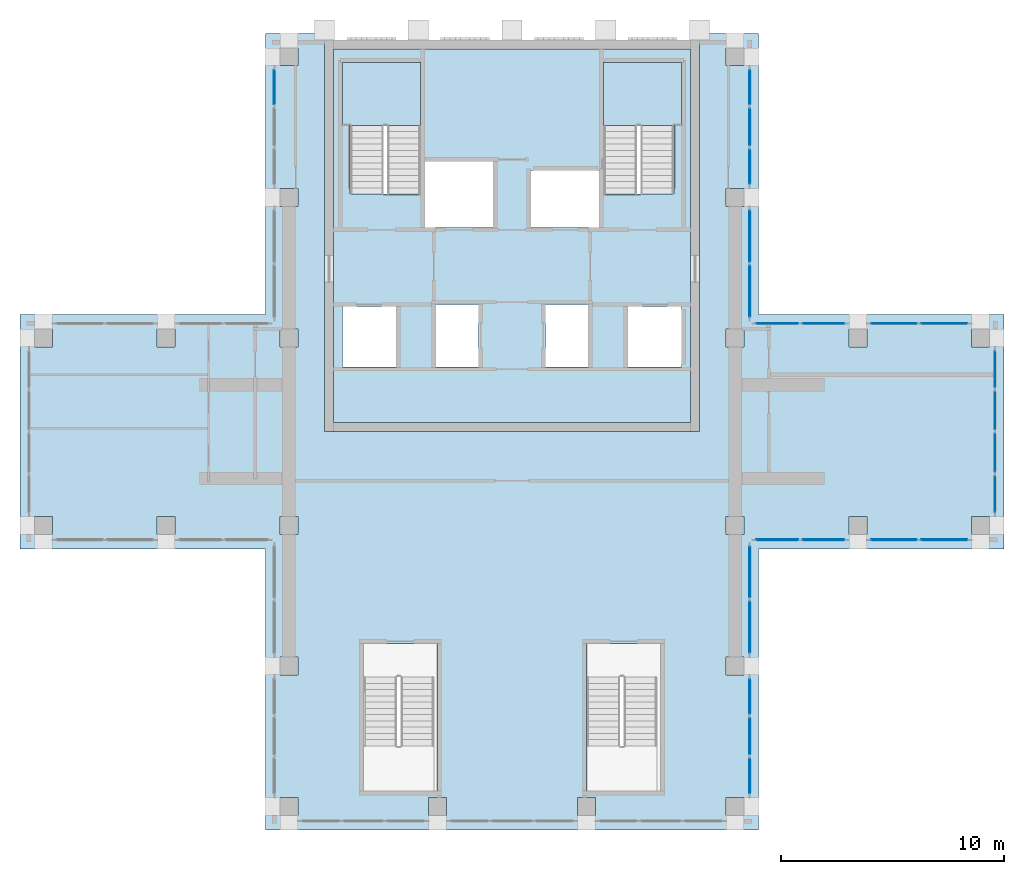
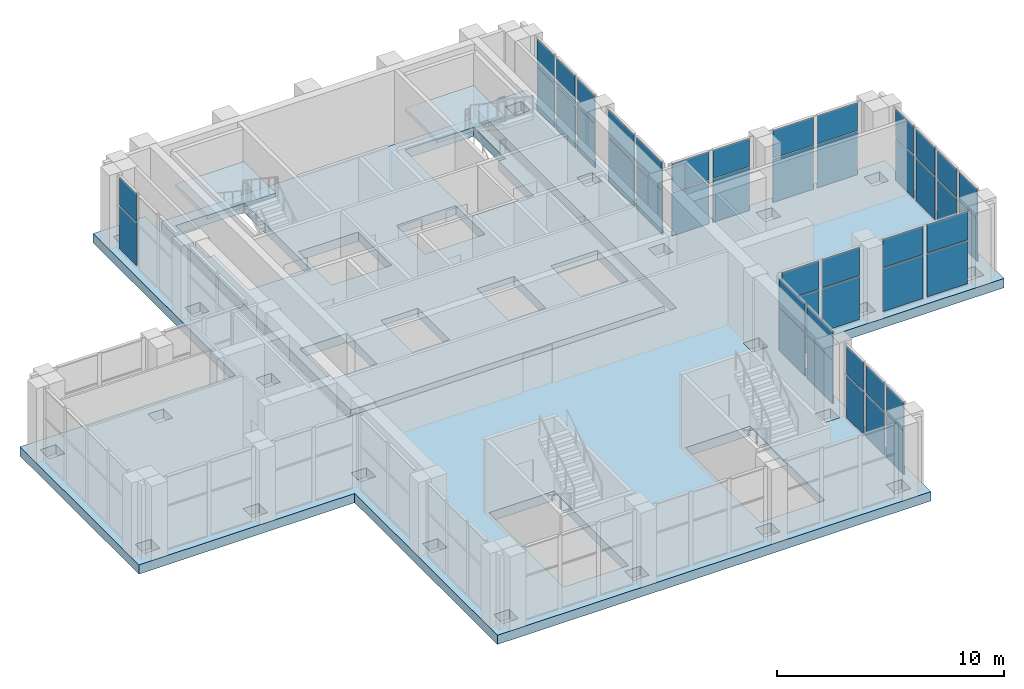
# One storey, part 8 of 15: 46 plates, 4 slabs, 12 elements without a shape of their own.
"""IFC4 building model written with IfcOpenShell, lengths in metres."""

from ifc_helpers import new_model, si_unit, direction, frame, origin, origin_2d, place, context, subcontext, project, spatial, polyline, rectangle, outline, extrude, material, layer, layer_set, type_object, element, aggregate, save


model = new_model("IFC4")

# Units and contexts
model_context = context("Model", 3, precision=1e-05, world=origin(), true_north=direction((0.0, 1.0)))
body_context = subcontext(model_context, "Body", "Model", "MODEL_VIEW")
ifc_project = project(units=[si_unit("LENGTHUNIT", "METRE"), si_unit("AREAUNIT", "SQUARE_METRE"), si_unit("VOLUMEUNIT", "CUBIC_METRE"), si_unit("PLANEANGLEUNIT", "RADIAN"), si_unit("MASSUNIT", "GRAM", prefix="KILO")], contexts=[model_context])

# Site, building, storey
site_placement = place(None, origin())
site = spatial("IfcSite", under=ifc_project, at=site_placement, CompositionType="ELEMENT")
building_placement = place(site_placement, origin())
building = spatial("IfcBuilding", under=site, at=building_placement, Name="Vermilion Ogive Tower", CompositionType="ELEMENT")
storey_placement = place(building_placement, frame((0.0, 0.0, 293.85009765625)))
storey = spatial("IfcBuildingStorey", under=building, at=storey_placement, Name="L76", CompositionType="ELEMENT", Elevation=293.85009765625)

# Curtain wall, plates
ifc_material_1 = material(Name="Low-iron laminated glazing in aluminium frame", Category="aluminium")
curtain_wall_type = type_object("IfcCurtainWallType", Name="Curtain wall CW3", PredefinedType="NOTDEFINED", material=ifc_material_1)
curtain_wall_1_placement = place(storey_placement, origin())
curtain_wall_1 = element("IfcCurtainWall", 1, at=curtain_wall_1_placement, inside=storey, type_object=curtain_wall_type, Name="CW3 glazing X11", PredefinedType="NOTDEFINED")
ifc_material_2 = material(Name="Low-iron laminated glazing in aluminium frame", Category="aluminium")
ifc_layer_1 = layer(ifc_material_2, 0.035888671875)
ifc_layer_set_1 = layer_set([ifc_layer_1], Name="CW3 glazing panel 36")
plate_type = type_object("IfcPlateType", Name="CW3 glazing panel 36", PredefinedType="CURTAIN_PANEL", material=ifc_layer_set_1)
plate_1_placement = place(storey_placement, frame((10.64990234375, -11.2333984375, 0.059814453125), z_axis=(0.0, 0.0, 1.0), x_axis=(0.0, 1.0, 0.0)))
plate_1 = element("IfcPlate", 2, at=plate_1_placement, type_object=plate_type, Name="CW3-X11 panel 1.1", PredefinedType="CURTAIN_PANEL", context=body_context, shape_type="SweptSolid", body=[
    extrude(rectangle(XDim=1.533447265625, YDim=0.035888671875, at=origin_2d()), origin(), (0.0, 0.0, 1.0), 2.31005859375),
])
plate_2_placement = place(storey_placement, frame((10.64990234375, -11.2333984375, 2.4296875), z_axis=(0.0, 0.0, 1.0), x_axis=(0.0, 1.0, 0.0)))
plate_2 = element("IfcPlate", 3, at=plate_2_placement, type_object=plate_type, Name="CW3-X11 panel 1.2", PredefinedType="CURTAIN_PANEL", context=body_context, shape_type="SweptSolid", body=[
    extrude(rectangle(XDim=1.533447265625, YDim=0.035888671875, at=origin_2d()), origin(), (0.0, 0.0, 1.0), 1.510009765625),
])
plate_3_placement = place(storey_placement, frame((10.64990234375, -9.449951171875, 0.059814453125), z_axis=(0.0, 0.0, 1.0), x_axis=(0.0, 1.0, 0.0)))
plate_3 = element("IfcPlate", 4, at=plate_3_placement, type_object=plate_type, Name="CW3-X11 panel 2.1", PredefinedType="CURTAIN_PANEL", context=body_context, shape_type="SweptSolid", body=[
    extrude(rectangle(XDim=1.63330078125, YDim=0.035888671875, at=origin_2d()), origin(), (0.0, 0.0, 1.0), 2.31005859375),
])
plate_4_placement = place(storey_placement, frame((10.64990234375, -9.449951171875, 2.4296875), z_axis=(0.0, 0.0, 1.0), x_axis=(0.0, 1.0, 0.0)))
plate_4 = element("IfcPlate", 5, at=plate_4_placement, type_object=plate_type, Name="CW3-X11 panel 2.2", PredefinedType="CURTAIN_PANEL", context=body_context, shape_type="SweptSolid", body=[
    extrude(rectangle(XDim=1.63330078125, YDim=0.035888671875, at=origin_2d()), origin(), (0.0, 0.0, 1.0), 1.510009765625),
])
plate_5_placement = place(storey_placement, frame((10.64990234375, -7.666748046875, 0.059814453125), z_axis=(0.0, 0.0, 1.0), x_axis=(0.0, 1.0, 0.0)))
plate_5 = element("IfcPlate", 6, at=plate_5_placement, type_object=plate_type, Name="CW3-X11 panel 3.1", PredefinedType="CURTAIN_PANEL", context=body_context, shape_type="SweptSolid", body=[
    extrude(rectangle(XDim=1.533447265625, YDim=0.035888671875, at=origin_2d()), origin(), (0.0, 0.0, 1.0), 2.31005859375),
])
plate_6_placement = place(storey_placement, frame((10.64990234375, -7.666748046875, 2.4296875), z_axis=(0.0, 0.0, 1.0), x_axis=(0.0, 1.0, 0.0)))
plate_6 = element("IfcPlate", 7, at=plate_6_placement, type_object=plate_type, Name="CW3-X11 panel 3.2", PredefinedType="CURTAIN_PANEL", context=body_context, shape_type="SweptSolid", body=[
    extrude(rectangle(XDim=1.533447265625, YDim=0.035888671875, at=origin_2d()), origin(), (0.0, 0.0, 1.0), 1.510009765625),
])
aggregate(curtain_wall_1, [plate_1, plate_2, plate_3, plate_4, plate_5, plate_6])

curtain_wall_2_placement = place(storey_placement, origin())
curtain_wall_2 = element("IfcCurtainWall", 8, at=curtain_wall_2_placement, inside=storey, type_object=curtain_wall_type, Name="CW3 glazing X12", PredefinedType="NOTDEFINED")
plate_7_placement = place(storey_placement, frame((10.64990234375, -4.5625, 0.059814453125), z_axis=(0.0, 0.0, 1.0), x_axis=(0.0, 1.0, 0.0)))
plate_7 = element("IfcPlate", 9, at=plate_7_placement, type_object=plate_type, Name="CW3-X12 panel 1.1", PredefinedType="CURTAIN_PANEL", context=body_context, shape_type="SweptSolid", body=[
    extrude(rectangle(XDim=2.27490234375, YDim=0.035888671875, at=origin_2d()), origin(), (0.0, 0.0, 1.0), 2.31005859375),
])
plate_8_placement = place(storey_placement, frame((10.64990234375, -4.5625, 2.4296875), z_axis=(0.0, 0.0, 1.0), x_axis=(0.0, 1.0, 0.0)))
plate_8 = element("IfcPlate", 10, at=plate_8_placement, type_object=plate_type, Name="CW3-X12 panel 1.2", PredefinedType="CURTAIN_PANEL", context=body_context, shape_type="SweptSolid", body=[
    extrude(rectangle(XDim=2.27490234375, YDim=0.035888671875, at=origin_2d()), origin(), (0.0, 0.0, 1.0), 1.510009765625),
])
plate_9_placement = place(storey_placement, frame((10.64990234375, -2.08740234375, 0.059814453125), z_axis=(0.0, 0.0, 1.0), x_axis=(0.0, 1.0, 0.0)))
plate_9 = element("IfcPlate", 11, at=plate_9_placement, type_object=plate_type, Name="CW3-X12 panel 2.1", PredefinedType="CURTAIN_PANEL", context=body_context, shape_type="SweptSolid", body=[
    extrude(rectangle(XDim=2.27490234375, YDim=0.035888671875, at=origin_2d()), origin(), (0.0, 0.0, 1.0), 2.31005859375),
])
plate_10_placement = place(storey_placement, frame((10.64990234375, -2.08740234375, 2.4296875), z_axis=(0.0, 0.0, 1.0), x_axis=(0.0, 1.0, 0.0)))
plate_10 = element("IfcPlate", 12, at=plate_10_placement, type_object=plate_type, Name="CW3-X12 panel 2.2", PredefinedType="CURTAIN_PANEL", context=body_context, shape_type="SweptSolid", body=[
    extrude(rectangle(XDim=2.27490234375, YDim=0.035888671875, at=origin_2d()), origin(), (0.0, 0.0, 1.0), 1.510009765625),
])
aggregate(curtain_wall_2, [plate_7, plate_8, plate_9, plate_10])

curtain_wall_3_placement = place(storey_placement, origin())
curtain_wall_3 = element("IfcCurtainWall", 13, at=curtain_wall_3_placement, inside=storey, type_object=curtain_wall_type, Name="CW3 glazing X21", PredefinedType="NOTDEFINED")
plate_11_placement = place(storey_placement, frame((11.887451171875, -0.64990234375, 0.059814453125), z_axis=(0.0, 0.0, 1.0), x_axis=(1.0, 0.0, 0.0)))
plate_11 = element("IfcPlate", 14, at=plate_11_placement, type_object=plate_type, Name="CW3-X21 panel 1.1", PredefinedType="CURTAIN_PANEL", context=body_context, shape_type="SweptSolid", body=[
    extrude(rectangle(XDim=1.875, YDim=0.035888671875, at=origin_2d()), origin(), (0.0, 0.0, 1.0), 2.31005859375),
])
plate_12_placement = place(storey_placement, frame((11.887451171875, -0.64990234375, 2.4296875), z_axis=(0.0, 0.0, 1.0), x_axis=(1.0, 0.0, 0.0)))
plate_12 = element("IfcPlate", 15, at=plate_12_placement, type_object=plate_type, Name="CW3-X21 panel 1.2", PredefinedType="CURTAIN_PANEL", context=body_context, shape_type="SweptSolid", body=[
    extrude(rectangle(XDim=1.875, YDim=0.035888671875, at=origin_2d()), origin(), (0.0, 0.0, 1.0), 1.510009765625),
])
plate_13_placement = place(storey_placement, frame((13.96240234375, -0.64990234375, 0.059814453125), z_axis=(0.0, 0.0, 1.0), x_axis=(1.0, 0.0, 0.0)))
plate_13 = element("IfcPlate", 16, at=plate_13_placement, type_object=plate_type, Name="CW3-X21 panel 2.1", PredefinedType="CURTAIN_PANEL", context=body_context, shape_type="SweptSolid", body=[
    extrude(rectangle(XDim=1.875, YDim=0.035888671875, at=origin_2d()), origin(), (0.0, 0.0, 1.0), 2.31005859375),
])
plate_14_placement = place(storey_placement, frame((13.96240234375, -0.64990234375, 2.4296875), z_axis=(0.0, 0.0, 1.0), x_axis=(1.0, 0.0, 0.0)))
plate_14 = element("IfcPlate", 17, at=plate_14_placement, type_object=plate_type, Name="CW3-X21 panel 2.2", PredefinedType="CURTAIN_PANEL", context=body_context, shape_type="SweptSolid", body=[
    extrude(rectangle(XDim=1.875, YDim=0.035888671875, at=origin_2d()), origin(), (0.0, 0.0, 1.0), 1.510009765625),
])
aggregate(curtain_wall_3, [plate_11, plate_12, plate_13, plate_14])

curtain_wall_4_placement = place(storey_placement, origin())
curtain_wall_4 = element("IfcCurtainWall", 18, at=curtain_wall_4_placement, inside=storey, type_object=curtain_wall_type, Name="CW3 glazing X22", PredefinedType="NOTDEFINED")
plate_15_placement = place(storey_placement, frame((17.125, -0.64990234375, 0.059814453125), z_axis=(0.0, 0.0, 1.0), x_axis=(1.0, 0.0, 0.0)))
plate_15 = element("IfcPlate", 19, at=plate_15_placement, type_object=plate_type, Name="CW3-X22 panel 1.1", PredefinedType="CURTAIN_PANEL", context=body_context, shape_type="SweptSolid", body=[
    extrude(rectangle(XDim=2.050048828125, YDim=0.035888671875, at=origin_2d()), origin(), (0.0, 0.0, 1.0), 2.31005859375),
])
plate_16_placement = place(storey_placement, frame((17.125, -0.64990234375, 2.4296875), z_axis=(0.0, 0.0, 1.0), x_axis=(1.0, 0.0, 0.0)))
plate_16 = element("IfcPlate", 20, at=plate_16_placement, type_object=plate_type, Name="CW3-X22 panel 1.2", PredefinedType="CURTAIN_PANEL", context=body_context, shape_type="SweptSolid", body=[
    extrude(rectangle(XDim=2.050048828125, YDim=0.035888671875, at=origin_2d()), origin(), (0.0, 0.0, 1.0), 1.510009765625),
])
plate_17_placement = place(storey_placement, frame((19.375, -0.64990234375, 0.059814453125), z_axis=(0.0, 0.0, 1.0), x_axis=(1.0, 0.0, 0.0)))
plate_17 = element("IfcPlate", 21, at=plate_17_placement, type_object=plate_type, Name="CW3-X22 panel 2.1", PredefinedType="CURTAIN_PANEL", context=body_context, shape_type="SweptSolid", body=[
    extrude(rectangle(XDim=2.050048828125, YDim=0.035888671875, at=origin_2d()), origin(), (0.0, 0.0, 1.0), 2.31005859375),
])
plate_18_placement = place(storey_placement, frame((19.375, -0.64990234375, 2.4296875), z_axis=(0.0, 0.0, 1.0), x_axis=(1.0, 0.0, 0.0)))
plate_18 = element("IfcPlate", 22, at=plate_18_placement, type_object=plate_type, Name="CW3-X22 panel 2.2", PredefinedType="CURTAIN_PANEL", context=body_context, shape_type="SweptSolid", body=[
    extrude(rectangle(XDim=2.050048828125, YDim=0.035888671875, at=origin_2d()), origin(), (0.0, 0.0, 1.0), 1.510009765625),
])
aggregate(curtain_wall_4, [plate_15, plate_16, plate_17, plate_18])

curtain_wall_5_placement = place(storey_placement, origin())
curtain_wall_5 = element("IfcCurtainWall", 23, at=curtain_wall_5_placement, inside=storey, type_object=curtain_wall_type, Name="CW3 glazing E1", PredefinedType="NOTDEFINED")
plate_19_placement = place(storey_placement, frame((21.64990234375, 1.39990234375, 0.059814453125), z_axis=(0.0, 0.0, 1.0), x_axis=(0.0, 1.0, 0.0)))
plate_19 = element("IfcPlate", 24, at=plate_19_placement, type_object=plate_type, Name="CW3-E1 panel 1.1", PredefinedType="CURTAIN_PANEL", context=body_context, shape_type="SweptSolid", body=[
    extrude(rectangle(XDim=1.60009765625, YDim=0.035888671875, at=origin_2d()), origin(), (0.0, 0.0, 1.0), 2.31005859375),
])
plate_20_placement = place(storey_placement, frame((21.64990234375, 1.39990234375, 2.4296875), z_axis=(0.0, 0.0, 1.0), x_axis=(0.0, 1.0, 0.0)))
plate_20 = element("IfcPlate", 25, at=plate_20_placement, type_object=plate_type, Name="CW3-E1 panel 1.2", PredefinedType="CURTAIN_PANEL", context=body_context, shape_type="SweptSolid", body=[
    extrude(rectangle(XDim=1.60009765625, YDim=0.035888671875, at=origin_2d()), origin(), (0.0, 0.0, 1.0), 1.510009765625),
])
plate_21_placement = place(storey_placement, frame((21.64990234375, 3.25, 0.059814453125), z_axis=(0.0, 0.0, 1.0), x_axis=(0.0, 1.0, 0.0)))
plate_21 = element("IfcPlate", 26, at=plate_21_placement, type_object=plate_type, Name="CW3-E1 panel 2.1", PredefinedType="CURTAIN_PANEL", context=body_context, shape_type="SweptSolid", body=[
    extrude(rectangle(XDim=1.699951171875, YDim=0.035888671875, at=origin_2d()), origin(), (0.0, 0.0, 1.0), 2.31005859375),
])
plate_22_placement = place(storey_placement, frame((21.64990234375, 3.25, 2.4296875), z_axis=(0.0, 0.0, 1.0), x_axis=(0.0, 1.0, 0.0)))
plate_22 = element("IfcPlate", 27, at=plate_22_placement, type_object=plate_type, Name="CW3-E1 panel 2.2", PredefinedType="CURTAIN_PANEL", context=body_context, shape_type="SweptSolid", body=[
    extrude(rectangle(XDim=1.699951171875, YDim=0.035888671875, at=origin_2d()), origin(), (0.0, 0.0, 1.0), 1.510009765625),
])
plate_23_placement = place(storey_placement, frame((21.64990234375, 5.14990234375, 0.059814453125), z_axis=(0.0, 0.0, 1.0), x_axis=(0.0, 1.0, 0.0)))
plate_23 = element("IfcPlate", 28, at=plate_23_placement, type_object=plate_type, Name="CW3-E1 panel 3.1", PredefinedType="CURTAIN_PANEL", context=body_context, shape_type="SweptSolid", body=[
    extrude(rectangle(XDim=1.699951171875, YDim=0.035888671875, at=origin_2d()), origin(), (0.0, 0.0, 1.0), 2.31005859375),
])
plate_24_placement = place(storey_placement, frame((21.64990234375, 5.14990234375, 2.4296875), z_axis=(0.0, 0.0, 1.0), x_axis=(0.0, 1.0, 0.0)))
plate_24 = element("IfcPlate", 29, at=plate_24_placement, type_object=plate_type, Name="CW3-E1 panel 3.2", PredefinedType="CURTAIN_PANEL", context=body_context, shape_type="SweptSolid", body=[
    extrude(rectangle(XDim=1.699951171875, YDim=0.035888671875, at=origin_2d()), origin(), (0.0, 0.0, 1.0), 1.510009765625),
])
plate_25_placement = place(storey_placement, frame((21.64990234375, 7.0, 0.059814453125), z_axis=(0.0, 0.0, 1.0), x_axis=(0.0, 1.0, 0.0)))
plate_25 = element("IfcPlate", 30, at=plate_25_placement, type_object=plate_type, Name="CW3-E1 panel 4.1", PredefinedType="CURTAIN_PANEL", context=body_context, shape_type="SweptSolid", body=[
    extrude(rectangle(XDim=1.60009765625, YDim=0.035888671875, at=origin_2d()), origin(), (0.0, 0.0, 1.0), 2.31005859375),
])
plate_26_placement = place(storey_placement, frame((21.64990234375, 7.0, 2.4296875), z_axis=(0.0, 0.0, 1.0), x_axis=(0.0, 1.0, 0.0)))
plate_26 = element("IfcPlate", 31, at=plate_26_placement, type_object=plate_type, Name="CW3-E1 panel 4.2", PredefinedType="CURTAIN_PANEL", context=body_context, shape_type="SweptSolid", body=[
    extrude(rectangle(XDim=1.60009765625, YDim=0.035888671875, at=origin_2d()), origin(), (0.0, 0.0, 1.0), 1.510009765625),
])
aggregate(curtain_wall_5, [plate_19, plate_20, plate_21, plate_22, plate_23, plate_24, plate_25, plate_26])

curtain_wall_6_placement = place(storey_placement, origin())
curtain_wall_6 = element("IfcCurtainWall", 32, at=curtain_wall_6_placement, inside=storey, type_object=curtain_wall_type, Name="CW3 glazing X31", PredefinedType="NOTDEFINED")
plate_27_placement = place(storey_placement, frame((19.375, 9.050048828125, 0.059814453125), z_axis=(0.0, 0.0, 1.0), x_axis=(-1.0, 0.0, 0.0)))
plate_27 = element("IfcPlate", 33, at=plate_27_placement, type_object=plate_type, Name="CW3-X31 panel 1.1", PredefinedType="CURTAIN_PANEL", context=body_context, shape_type="SweptSolid", body=[
    extrude(rectangle(XDim=2.050048828125, YDim=0.035888671875, at=origin_2d()), origin(), (0.0, 0.0, 1.0), 2.31005859375),
])
plate_28_placement = place(storey_placement, frame((19.375, 9.050048828125, 2.4296875), z_axis=(0.0, 0.0, 1.0), x_axis=(-1.0, 0.0, 0.0)))
plate_28 = element("IfcPlate", 34, at=plate_28_placement, type_object=plate_type, Name="CW3-X31 panel 1.2", PredefinedType="CURTAIN_PANEL", context=body_context, shape_type="SweptSolid", body=[
    extrude(rectangle(XDim=2.050048828125, YDim=0.035888671875, at=origin_2d()), origin(), (0.0, 0.0, 1.0), 1.510009765625),
])
plate_29_placement = place(storey_placement, frame((17.125, 9.050048828125, 0.059814453125), z_axis=(0.0, 0.0, 1.0), x_axis=(-1.0, 0.0, 0.0)))
plate_29 = element("IfcPlate", 35, at=plate_29_placement, type_object=plate_type, Name="CW3-X31 panel 2.1", PredefinedType="CURTAIN_PANEL", context=body_context, shape_type="SweptSolid", body=[
    extrude(rectangle(XDim=2.050048828125, YDim=0.035888671875, at=origin_2d()), origin(), (0.0, 0.0, 1.0), 2.31005859375),
])
plate_30_placement = place(storey_placement, frame((17.125, 9.050048828125, 2.4296875), z_axis=(0.0, 0.0, 1.0), x_axis=(-1.0, 0.0, 0.0)))
plate_30 = element("IfcPlate", 36, at=plate_30_placement, type_object=plate_type, Name="CW3-X31 panel 2.2", PredefinedType="CURTAIN_PANEL", context=body_context, shape_type="SweptSolid", body=[
    extrude(rectangle(XDim=2.050048828125, YDim=0.035888671875, at=origin_2d()), origin(), (0.0, 0.0, 1.0), 1.510009765625),
])
aggregate(curtain_wall_6, [plate_27, plate_28, plate_29, plate_30])

curtain_wall_7_placement = place(storey_placement, origin())
curtain_wall_7 = element("IfcCurtainWall", 37, at=curtain_wall_7_placement, inside=storey, type_object=curtain_wall_type, Name="CW3 glazing X32", PredefinedType="NOTDEFINED")
plate_31_placement = place(storey_placement, frame((13.96240234375, 9.050048828125, 0.059814453125), z_axis=(0.0, 0.0, 1.0), x_axis=(-1.0, 0.0, 0.0)))
plate_31 = element("IfcPlate", 38, at=plate_31_placement, type_object=plate_type, Name="CW3-X32 panel 1.1", PredefinedType="CURTAIN_PANEL", context=body_context, shape_type="SweptSolid", body=[
    extrude(rectangle(XDim=1.875, YDim=0.035888671875, at=origin_2d()), origin(), (0.0, 0.0, 1.0), 2.31005859375),
])
plate_32_placement = place(storey_placement, frame((13.96240234375, 9.050048828125, 2.4296875), z_axis=(0.0, 0.0, 1.0), x_axis=(-1.0, 0.0, 0.0)))
plate_32 = element("IfcPlate", 39, at=plate_32_placement, type_object=plate_type, Name="CW3-X32 panel 1.2", PredefinedType="CURTAIN_PANEL", context=body_context, shape_type="SweptSolid", body=[
    extrude(rectangle(XDim=1.875, YDim=0.035888671875, at=origin_2d()), origin(), (0.0, 0.0, 1.0), 1.510009765625),
])
plate_33_placement = place(storey_placement, frame((11.887451171875, 9.050048828125, 0.059814453125), z_axis=(0.0, 0.0, 1.0), x_axis=(-1.0, 0.0, 0.0)))
plate_33 = element("IfcPlate", 40, at=plate_33_placement, type_object=plate_type, Name="CW3-X32 panel 2.1", PredefinedType="CURTAIN_PANEL", context=body_context, shape_type="SweptSolid", body=[
    extrude(rectangle(XDim=1.875, YDim=0.035888671875, at=origin_2d()), origin(), (0.0, 0.0, 1.0), 2.31005859375),
])
plate_34_placement = place(storey_placement, frame((11.887451171875, 9.050048828125, 2.4296875), z_axis=(0.0, 0.0, 1.0), x_axis=(-1.0, 0.0, 0.0)))
plate_34 = element("IfcPlate", 41, at=plate_34_placement, type_object=plate_type, Name="CW3-X32 panel 2.2", PredefinedType="CURTAIN_PANEL", context=body_context, shape_type="SweptSolid", body=[
    extrude(rectangle(XDim=1.875, YDim=0.035888671875, at=origin_2d()), origin(), (0.0, 0.0, 1.0), 1.510009765625),
])
aggregate(curtain_wall_7, [plate_31, plate_32, plate_33, plate_34])

curtain_wall_8_placement = place(storey_placement, origin())
curtain_wall_8 = element("IfcCurtainWall", 42, at=curtain_wall_8_placement, inside=storey, type_object=curtain_wall_type, Name="CW3 glazing X41", PredefinedType="NOTDEFINED")
plate_35_placement = place(storey_placement, frame((10.64990234375, 10.487548828125, 0.059814453125), z_axis=(0.0, 0.0, 1.0), x_axis=(0.0, 1.0, 0.0)))
plate_35 = element("IfcPlate", 43, at=plate_35_placement, type_object=plate_type, Name="CW3-X41 panel 1.1", PredefinedType="CURTAIN_PANEL", context=body_context, shape_type="SweptSolid", body=[
    extrude(rectangle(XDim=2.27490234375, YDim=0.035888671875, at=origin_2d()), origin(), (0.0, 0.0, 1.0), 2.31005859375),
])
plate_36_placement = place(storey_placement, frame((10.64990234375, 10.487548828125, 2.4296875), z_axis=(0.0, 0.0, 1.0), x_axis=(0.0, 1.0, 0.0)))
plate_36 = element("IfcPlate", 44, at=plate_36_placement, type_object=plate_type, Name="CW3-X41 panel 1.2", PredefinedType="CURTAIN_PANEL", context=body_context, shape_type="SweptSolid", body=[
    extrude(rectangle(XDim=2.27490234375, YDim=0.035888671875, at=origin_2d()), origin(), (0.0, 0.0, 1.0), 1.510009765625),
])
plate_37_placement = place(storey_placement, frame((10.64990234375, 12.96240234375, 0.059814453125), z_axis=(0.0, 0.0, 1.0), x_axis=(0.0, 1.0, 0.0)))
plate_37 = element("IfcPlate", 45, at=plate_37_placement, type_object=plate_type, Name="CW3-X41 panel 2.1", PredefinedType="CURTAIN_PANEL", context=body_context, shape_type="SweptSolid", body=[
    extrude(rectangle(XDim=2.27490234375, YDim=0.035888671875, at=origin_2d()), origin(), (0.0, 0.0, 1.0), 2.31005859375),
])
plate_38_placement = place(storey_placement, frame((10.64990234375, 12.96240234375, 2.4296875), z_axis=(0.0, 0.0, 1.0), x_axis=(0.0, 1.0, 0.0)))
plate_38 = element("IfcPlate", 46, at=plate_38_placement, type_object=plate_type, Name="CW3-X41 panel 2.2", PredefinedType="CURTAIN_PANEL", context=body_context, shape_type="SweptSolid", body=[
    extrude(rectangle(XDim=2.27490234375, YDim=0.035888671875, at=origin_2d()), origin(), (0.0, 0.0, 1.0), 1.510009765625),
])
aggregate(curtain_wall_8, [plate_35, plate_36, plate_37, plate_38])

curtain_wall_9_placement = place(storey_placement, origin())
curtain_wall_9 = element("IfcCurtainWall", 47, at=curtain_wall_9_placement, inside=storey, type_object=curtain_wall_type, Name="CW3 glazing X42", PredefinedType="NOTDEFINED")
plate_39_placement = place(storey_placement, frame((10.64990234375, 16.066650390625, 0.059814453125), z_axis=(0.0, 0.0, 1.0), x_axis=(0.0, 1.0, 0.0)))
plate_39 = element("IfcPlate", 48, at=plate_39_placement, type_object=plate_type, Name="CW3-X42 panel 1.1", PredefinedType="CURTAIN_PANEL", context=body_context, shape_type="SweptSolid", body=[
    extrude(rectangle(XDim=1.533447265625, YDim=0.035888671875, at=origin_2d()), origin(), (0.0, 0.0, 1.0), 2.31005859375),
])
plate_40_placement = place(storey_placement, frame((10.64990234375, 16.066650390625, 2.4296875), z_axis=(0.0, 0.0, 1.0), x_axis=(0.0, 1.0, 0.0)))
plate_40 = element("IfcPlate", 49, at=plate_40_placement, type_object=plate_type, Name="CW3-X42 panel 1.2", PredefinedType="CURTAIN_PANEL", context=body_context, shape_type="SweptSolid", body=[
    extrude(rectangle(XDim=1.533447265625, YDim=0.035888671875, at=origin_2d()), origin(), (0.0, 0.0, 1.0), 1.510009765625),
])
plate_41_placement = place(storey_placement, frame((10.64990234375, 17.85009765625, 0.059814453125), z_axis=(0.0, 0.0, 1.0), x_axis=(0.0, 1.0, 0.0)))
plate_41 = element("IfcPlate", 50, at=plate_41_placement, type_object=plate_type, Name="CW3-X42 panel 2.1", PredefinedType="CURTAIN_PANEL", context=body_context, shape_type="SweptSolid", body=[
    extrude(rectangle(XDim=1.63330078125, YDim=0.035888671875, at=origin_2d()), origin(), (0.0, 0.0, 1.0), 2.31005859375),
])
plate_42_placement = place(storey_placement, frame((10.64990234375, 17.85009765625, 2.4296875), z_axis=(0.0, 0.0, 1.0), x_axis=(0.0, 1.0, 0.0)))
plate_42 = element("IfcPlate", 51, at=plate_42_placement, type_object=plate_type, Name="CW3-X42 panel 2.2", PredefinedType="CURTAIN_PANEL", context=body_context, shape_type="SweptSolid", body=[
    extrude(rectangle(XDim=1.63330078125, YDim=0.035888671875, at=origin_2d()), origin(), (0.0, 0.0, 1.0), 1.510009765625),
])
plate_43_placement = place(storey_placement, frame((10.64990234375, 19.63330078125, 0.059814453125), z_axis=(0.0, 0.0, 1.0), x_axis=(0.0, 1.0, 0.0)))
plate_43 = element("IfcPlate", 52, at=plate_43_placement, type_object=plate_type, Name="CW3-X42 panel 3.1", PredefinedType="CURTAIN_PANEL", context=body_context, shape_type="SweptSolid", body=[
    extrude(rectangle(XDim=1.533447265625, YDim=0.035888671875, at=origin_2d()), origin(), (0.0, 0.0, 1.0), 2.31005859375),
])
plate_44_placement = place(storey_placement, frame((10.64990234375, 19.63330078125, 2.4296875), z_axis=(0.0, 0.0, 1.0), x_axis=(0.0, 1.0, 0.0)))
plate_44 = element("IfcPlate", 53, at=plate_44_placement, type_object=plate_type, Name="CW3-X42 panel 3.2", PredefinedType="CURTAIN_PANEL", context=body_context, shape_type="SweptSolid", body=[
    extrude(rectangle(XDim=1.533447265625, YDim=0.035888671875, at=origin_2d()), origin(), (0.0, 0.0, 1.0), 1.510009765625),
])
aggregate(curtain_wall_9, [plate_39, plate_40, plate_41, plate_42, plate_43, plate_44])

curtain_wall_10_placement = place(storey_placement, origin())
curtain_wall_10 = element("IfcCurtainWall", 54, at=curtain_wall_10_placement, inside=storey, type_object=curtain_wall_type, Name="CW3 glazing X51", PredefinedType="NOTDEFINED")
plate_45_placement = place(storey_placement, frame((-10.64990234375, 19.63330078125, 0.059814453125), z_axis=(0.0, 0.0, 1.0), x_axis=(0.0, -1.0, 0.0)))
plate_45 = element("IfcPlate", 55, at=plate_45_placement, type_object=plate_type, Name="CW3-X51 panel 1.1", PredefinedType="CURTAIN_PANEL", context=body_context, shape_type="SweptSolid", body=[
    extrude(rectangle(XDim=1.533447265625, YDim=0.035888671875, at=origin_2d()), origin(), (0.0, 0.0, 1.0), 2.31005859375),
])
plate_46_placement = place(storey_placement, frame((-10.64990234375, 19.63330078125, 2.4296875), z_axis=(0.0, 0.0, 1.0), x_axis=(0.0, -1.0, 0.0)))
plate_46 = element("IfcPlate", 56, at=plate_46_placement, type_object=plate_type, Name="CW3-X51 panel 1.2", PredefinedType="CURTAIN_PANEL", context=body_context, shape_type="SweptSolid", body=[
    extrude(rectangle(XDim=1.533447265625, YDim=0.035888671875, at=origin_2d()), origin(), (0.0, 0.0, 1.0), 1.510009765625),
])
aggregate(curtain_wall_10, [plate_45, plate_46])

# Slabs
ifc_material_3 = material(Name="Concrete B40", Category="concrete")
ifc_layer_2 = layer(ifc_material_3, 0.5)
ifc_layer_set_2 = layer_set([ifc_layer_2], Name="Core floor slab 500 B40")
slab_type_1 = type_object("IfcSlabType", Name="Core floor slab 500 B40", PredefinedType="FLOOR", material=ifc_layer_set_2)
slab_1_placement = place(storey_placement, frame((0.0, 0.0, -0.5)))
element("IfcSlab", 57, at=slab_1_placement, inside=storey, type_object=slab_type_1, Name="L76-CK-FS1", PredefinedType="FLOOR", context=body_context, shape_type="SweptSolid", body=[
    extrude(outline(polyline([(-7.99609375, 4.60400390625), (7.99609375, 4.60400390625), (7.99609375, 21.345947265625), (-7.99609375, 21.345947265625), (-7.99609375, 4.60400390625)]), holes=[polyline([(-5.199951171875, 7.10009765625), (-7.60009765625, 7.10009765625), (-7.60009765625, 9.800048828125), (-5.199951171875, 9.800048828125), (-5.199951171875, 7.10009765625)]), polyline([(5.199951171875, 7.10009765625), (5.199951171875, 9.800048828125), (7.60009765625, 9.800048828125), (7.60009765625, 7.10009765625), (5.199951171875, 7.10009765625)]), polyline([(-3.39990234375, 7.10009765625), (-3.39990234375, 9.89990234375), (-1.5, 9.89990234375), (-1.5, 7.10009765625), (-3.39990234375, 7.10009765625)]), polyline([(3.39990234375, 7.10009765625), (1.5, 7.10009765625), (1.5, 9.89990234375), (3.39990234375, 9.89990234375), (3.39990234375, 7.10009765625)]), polyline([(3.89990234375, 13.35009765625), (0.85009765625, 13.35009765625), (0.85009765625, 15.89990234375), (3.89990234375, 15.89990234375), (3.89990234375, 13.35009765625)]), polyline([(-0.85009765625, 13.35009765625), (-3.89990234375, 13.35009765625), (-3.89990234375, 16.300048828125), (-0.85009765625, 16.300048828125), (-0.85009765625, 13.35009765625)]), polyline([(-7.60009765625, 17.929931640625), (-7.60009765625, 20.75), (-4.10009765625, 20.75), (-4.10009765625, 14.85205078125), (-5.60009765625, 14.85205078125), (-5.60009765625, 14.85009765625), (-5.75, 14.85009765625), (-5.75, 14.85205078125), (-7.25, 14.85205078125), (-7.25, 17.929931640625), (-7.60009765625, 17.929931640625)]), polyline([(5.75, 14.85009765625), (5.60009765625, 14.85009765625), (5.60009765625, 14.85205078125), (4.10009765625, 14.85205078125), (4.10009765625, 17.929931640625), (4.074951171875, 17.929931640625), (4.074951171875, 20.75), (7.60009765625, 20.75), (7.60009765625, 17.929931640625), (7.25, 17.929931640625), (7.25, 14.85205078125), (5.75, 14.85205078125), (5.75, 14.85009765625)])]), origin(), (0.0, 0.0, 1.0), 0.5),
])
ifc_material_4 = material(Name="Concrete B45", Category="concrete")
ifc_layer_3 = layer(ifc_material_4, 0.5)
ifc_layer_set_3 = layer_set([ifc_layer_3], Name="Post-tensioned flat plate 500 B45")
slab_type_2 = type_object("IfcSlabType", Name="Post-tensioned flat plate 500 B45", PredefinedType="FLOOR", material=ifc_layer_set_3)
slab_2_placement = place(storey_placement, frame((0.0, 0.0, -0.5)))
element("IfcSlab", 58, at=slab_2_placement, inside=storey, type_object=slab_type_2, Name="L76-SL-1", PredefinedType="FLOOR", context=body_context, shape_type="SweptSolid", body=[
    extrude(outline(polyline([(-11.050048828125, -1.050048828125), (-22.050048828125, -1.050048828125), (-22.050048828125, 9.449951171875), (-11.050048828125, 9.449951171875), (-11.050048828125, 22.050048828125), (-8.39990234375, 22.050048828125), (-8.39990234375, 4.199951171875), (8.39990234375, 4.199951171875), (8.39990234375, 22.050048828125), (11.050048828125, 22.050048828125), (11.050048828125, 9.449951171875), (22.050048828125, 9.449951171875), (22.050048828125, -1.050048828125), (11.050048828125, -1.050048828125), (11.050048828125, -13.64990234375), (-11.050048828125, -13.64990234375), (-11.050048828125, -1.050048828125)]), holes=[polyline([(21.39990234375, 8.0), (21.39990234375, 8.800048828125), (20.60009765625, 8.800048828125), (20.60009765625, 8.0), (21.39990234375, 8.0)]), polyline([(21.39990234375, -0.39990234375), (21.39990234375, 0.39990234375), (20.60009765625, 0.39990234375), (20.60009765625, -0.39990234375), (21.39990234375, -0.39990234375)]), polyline([(15.89990234375, 8.0), (15.89990234375, 8.800048828125), (15.10009765625, 8.800048828125), (15.10009765625, 8.0), (15.89990234375, 8.0)]), polyline([(15.89990234375, -0.39990234375), (15.89990234375, 0.39990234375), (15.10009765625, 0.39990234375), (15.10009765625, -0.39990234375), (15.89990234375, -0.39990234375)]), polyline([(10.39990234375, 20.60009765625), (10.39990234375, 21.39990234375), (9.60009765625, 21.39990234375), (9.60009765625, 20.60009765625), (10.39990234375, 20.60009765625)]), polyline([(10.39990234375, 14.300048828125), (10.39990234375, 15.10009765625), (9.60009765625, 15.10009765625), (9.60009765625, 14.300048828125), (10.39990234375, 14.300048828125)]), polyline([(10.39990234375, 8.0), (10.39990234375, 8.800048828125), (9.60009765625, 8.800048828125), (9.60009765625, 8.0), (10.39990234375, 8.0)]), polyline([(10.39990234375, -0.39990234375), (10.39990234375, 0.39990234375), (9.60009765625, 0.39990234375), (9.60009765625, -0.39990234375), (10.39990234375, -0.39990234375)]), polyline([(10.39990234375, -6.699951171875), (10.39990234375, -5.89990234375), (9.60009765625, -5.89990234375), (9.60009765625, -6.699951171875), (10.39990234375, -6.699951171875)]), polyline([(10.39990234375, -13.0), (10.39990234375, -12.199951171875), (9.60009765625, -12.199951171875), (9.60009765625, -13.0), (10.39990234375, -13.0)]), polyline([(6.64990234375, -11.89990234375), (6.64990234375, -5.300048828125), (3.35009765625, -5.300048828125), (3.35009765625, -11.89990234375), (6.64990234375, -11.89990234375)]), polyline([(3.7333984375, -13.0), (3.7333984375, -12.199951171875), (2.933349609375, -12.199951171875), (2.933349609375, -13.0), (3.7333984375, -13.0)]), polyline([(-2.933349609375, -13.0), (-2.933349609375, -12.199951171875), (-3.7333984375, -12.199951171875), (-3.7333984375, -13.0), (-2.933349609375, -13.0)]), polyline([(-3.35009765625, -11.89990234375), (-3.35009765625, -5.300048828125), (-6.64990234375, -5.300048828125), (-6.64990234375, -11.89990234375), (-3.35009765625, -11.89990234375)]), polyline([(-9.60009765625, 20.60009765625), (-9.60009765625, 21.39990234375), (-10.39990234375, 21.39990234375), (-10.39990234375, 20.60009765625), (-9.60009765625, 20.60009765625)]), polyline([(-9.60009765625, 14.300048828125), (-9.60009765625, 15.10009765625), (-10.39990234375, 15.10009765625), (-10.39990234375, 14.300048828125), (-9.60009765625, 14.300048828125)]), polyline([(-9.60009765625, 8.0), (-9.60009765625, 8.800048828125), (-10.39990234375, 8.800048828125), (-10.39990234375, 8.0), (-9.60009765625, 8.0)]), polyline([(-9.60009765625, -0.39990234375), (-9.60009765625, 0.39990234375), (-10.39990234375, 0.39990234375), (-10.39990234375, -0.39990234375), (-9.60009765625, -0.39990234375)]), polyline([(-9.60009765625, -6.699951171875), (-9.60009765625, -5.89990234375), (-10.39990234375, -5.89990234375), (-10.39990234375, -6.699951171875), (-9.60009765625, -6.699951171875)]), polyline([(-9.60009765625, -12.199951171875), (-10.39990234375, -12.199951171875), (-10.39990234375, -13.0), (-9.60009765625, -13.0), (-9.60009765625, -12.199951171875)]), polyline([(-15.10009765625, 8.0), (-15.10009765625, 8.800048828125), (-15.89990234375, 8.800048828125), (-15.89990234375, 8.0), (-15.10009765625, 8.0)]), polyline([(-15.10009765625, -0.39990234375), (-15.10009765625, 0.39990234375), (-15.89990234375, 0.39990234375), (-15.89990234375, -0.39990234375), (-15.10009765625, -0.39990234375)]), polyline([(-20.60009765625, -0.39990234375), (-20.60009765625, 0.39990234375), (-21.39990234375, 0.39990234375), (-21.39990234375, -0.39990234375), (-20.60009765625, -0.39990234375)]), polyline([(-20.60009765625, 8.800048828125), (-21.39990234375, 8.800048828125), (-21.39990234375, 8.0), (-20.60009765625, 8.0), (-20.60009765625, 8.800048828125)])]), origin(), (0.0, 0.0, 1.0), 0.5),
])

# Stair, slab
ifc_material_5 = material(Name="Concrete B40", Category="concrete")
stair_type = type_object("IfcStairType", Name="Exit stair 1500", PredefinedType="HALF_TURN_STAIR", material=ifc_material_5)
stair_1_placement = place(storey_placement, origin())
stair_1 = element("IfcStair", 59, at=stair_1_placement, inside=storey, type_object=stair_type, Name="L76 Exit Stair ST1", PredefinedType="HALF_TURN_STAIR")
ifc_material_6 = material(Name="Concrete B40", Category="concrete")
ifc_layer_4 = layer(ifc_material_6, 0.199951171875)
ifc_layer_set_4 = layer_set([ifc_layer_4], Name="Stair landing 200")
slab_type_3 = type_object("IfcSlabType", Name="Stair landing 200", PredefinedType="LANDING", material=ifc_layer_set_4)
slab_3_placement = place(storey_placement, frame((0.0, 0.0, 2.0498046875)))
slab_3 = element("IfcSlab", 60, at=slab_3_placement, type_object=slab_type_3, Name="ST1 landing 1", PredefinedType="LANDING", context=body_context, shape_type="SweptSolid", body=[
    extrude(outline(polyline([(-7.60009765625, 17.929931640625), (-7.25, 17.929931640625), (-7.25, 17.927978515625), (-5.75, 17.927978515625), (-5.75, 17.929931640625), (-5.60009765625, 17.929931640625), (-5.60009765625, 17.927978515625), (-4.10009765625, 17.927978515625), (-4.10009765625, 20.75), (-7.60009765625, 20.75), (-7.60009765625, 17.929931640625)])), origin(), (0.0, 0.0, 1.0), 0.2001953125),
])
aggregate(stair_1, [slab_3])

stair_2_placement = place(storey_placement, origin())
stair_2 = element("IfcStair", 61, at=stair_2_placement, inside=storey, type_object=stair_type, Name="L76 Exit Stair ST2", PredefinedType="HALF_TURN_STAIR")
slab_4_placement = place(storey_placement, frame((0.0, 0.0, 2.0498046875)))
slab_4 = element("IfcSlab", 62, at=slab_4_placement, type_object=slab_type_3, Name="ST2 landing 1", PredefinedType="LANDING", context=body_context, shape_type="SweptSolid", body=[
    extrude(outline(polyline([(5.60009765625, 17.929931640625), (5.75, 17.929931640625), (5.75, 17.927978515625), (7.25, 17.927978515625), (7.25, 17.929931640625), (7.60009765625, 17.929931640625), (7.60009765625, 20.75), (4.10009765625, 20.75), (4.10009765625, 17.927978515625), (5.60009765625, 17.927978515625), (5.60009765625, 17.929931640625)])), origin(), (0.0, 0.0, 1.0), 0.2001953125),
])
aggregate(stair_2, [slab_4])

save(model, "model.ifc")
